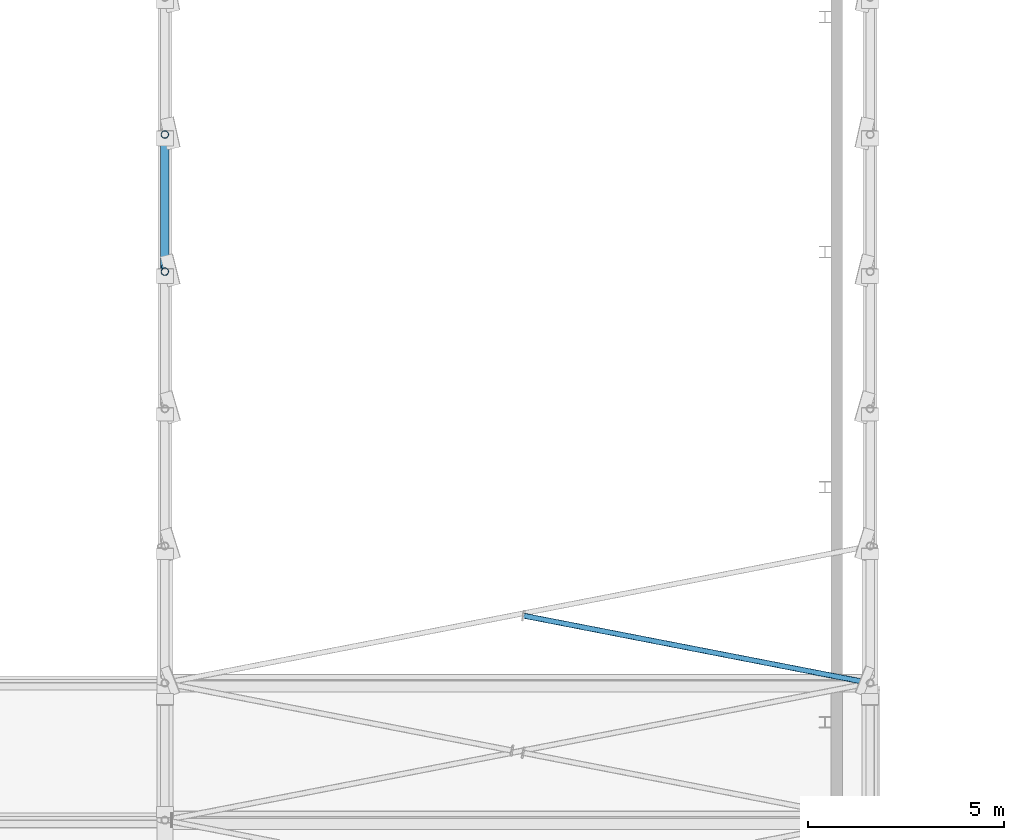
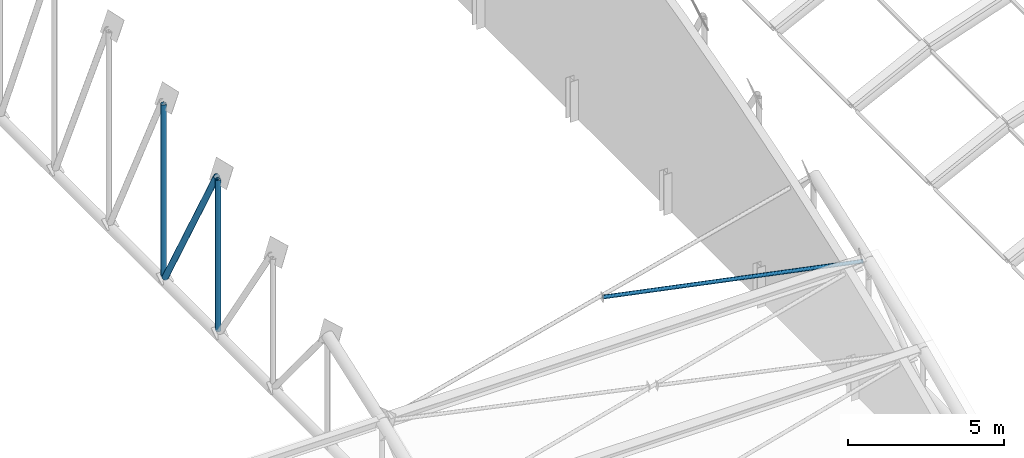
# One storey, part 47 of 196: 4 members.
"""IFC4 building model written with IfcOpenShell, lengths in metres."""

from ifc_helpers import new_model, si_unit, direction, frame, origin, origin_2d, place, context, subcontext, project, spatial, hollow_circle, extrude, material, material_profile, profile_set, type_object, element, save


model = new_model("IFC4")

# Units and contexts
model_context = context("Model", 3, precision=1e-05, world=origin(), true_north=direction((0.0, 1.0)))
body_context = subcontext(model_context, "Body", "Model", "MODEL_VIEW")
ifc_project = project(units=[si_unit("LENGTHUNIT", "METRE"), si_unit("AREAUNIT", "SQUARE_METRE"), si_unit("VOLUMEUNIT", "CUBIC_METRE"), si_unit("PLANEANGLEUNIT", "RADIAN"), si_unit("MASSUNIT", "GRAM", prefix="KILO")], contexts=[model_context])

# Site, building, storey
site_placement = place(None, origin())
site = spatial("IfcSite", under=ifc_project, at=site_placement, CompositionType="ELEMENT")
building_placement = place(site_placement, origin())
building = spatial("IfcBuilding", under=site, at=building_placement, Name="Okhra Congress Centre", CompositionType="ELEMENT")
storey_placement = place(building_placement, frame((0.0, 0.0, 12.0)))
storey = spatial("IfcBuildingStorey", under=building, at=storey_placement, Name="L02", CompositionType="ELEMENT", Elevation=12.0)

# Members
ifc_material = material(Name="Steel S355J2H", Category="steel")
ifc_material_profile_1 = material_profile(ifc_material, hollow_circle(Radius=0.06982421875, WallThickness=0.00634765625, at=origin_2d()), Name="CHS 139.7x6.3")
ifc_profile_set_1 = profile_set([ifc_material_profile_1], Name="Steel S355J2H")
member_type_1 = type_object("IfcMemberType", Name="CHS 139.7x6.3", PredefinedType="BRACE", material=ifc_profile_set_1)
member_1_placement = place(storey_placement, frame((153.814453125, 139.0361328125, 4.386962890625), z_axis=(-0.979323118912, 0.190430842458, 0.068281205364), x_axis=(-0.190876325854, -0.981614093332, 0.0)))
element("IfcMember", 1, at=member_1_placement, inside=storey, type_object=member_type_1, Name="EH.MEM.L02.XB7-03-2a", PredefinedType="BRACE", context=body_context, shape_type="SweptSolid", body=[
    extrude(hollow_circle(Radius=0.06982421875, WallThickness=0.00634765625, at=origin_2d()), origin(), (0.0, 0.0, 1.0), 8.84228515625),
])
ifc_material_profile_2 = material_profile(ifc_material, hollow_circle(Radius=0.096923828125, WallThickness=0.008056640625, at=origin_2d()), Name="CHS 193.7x8.0")
ifc_profile_set_2 = profile_set([ifc_material_profile_2], Name="Steel S355J2H")
member_type_2 = type_object("IfcMemberType", Name="CHS 193.7x8.0", PredefinedType="POST", material=ifc_profile_set_2)
member_2_placement = place(storey_placement, frame((136.0, 149.5, 1.577880859375), z_axis=(0.0, 0.0, 1.0), x_axis=(1.0, 0.0, 0.0)))
element("IfcMember", 2, at=member_2_placement, inside=storey, type_object=member_type_2, Name="EH.MEM.L02.T7-VER-05", PredefinedType="POST", context=body_context, shape_type="SweptSolid", body=[
    extrude(hollow_circle(Radius=0.096923828125, WallThickness=0.008056640625, at=origin_2d()), origin(), (0.0, 0.0, 1.0), 5.917724609375),
])
member_3_placement = place(storey_placement, frame((136.0, 153.0, 1.577880859375), z_axis=(0.0, 0.0, 1.0), x_axis=(1.0, 0.0, 0.0)))
element("IfcMember", 3, at=member_3_placement, inside=storey, type_object=member_type_2, Name="EH.MEM.L02.T7-VER-06", PredefinedType="POST", context=body_context, shape_type="SweptSolid", body=[
    extrude(hollow_circle(Radius=0.096923828125, WallThickness=0.008056640625, at=origin_2d()), origin(), (0.0, 0.0, 1.0), 6.750244140625),
])
ifc_material_profile_3 = material_profile(ifc_material, hollow_circle(Radius=0.109619140625, WallThickness=0.010009765625, at=origin_2d()), Name="CHS 219.1x10.0")
ifc_profile_set_3 = profile_set([ifc_material_profile_3], Name="Steel S355J2H")
member_type_3 = type_object("IfcMemberType", Name="CHS 219.1x10.0", PredefinedType="BRACE", material=ifc_profile_set_3)
member_4_placement = place(storey_placement, frame((136.0, 149.5927734375, 7.538330078125), z_axis=(0.0, 0.485332749729, -0.874329527147), x_axis=(-1.0, 0.0, 0.0)))
element("IfcMember", 4, at=member_4_placement, inside=storey, type_object=member_type_3, Name="EH.MEM.L02.T7-DIA-05", PredefinedType="BRACE", context=body_context, shape_type="SweptSolid", body=[
    extrude(hollow_circle(Radius=0.109619140625, WallThickness=0.010009765625, at=origin_2d()), origin(), (0.0, 0.0, 1.0), 6.817138671875),
])

save(model, "model.ifc")
